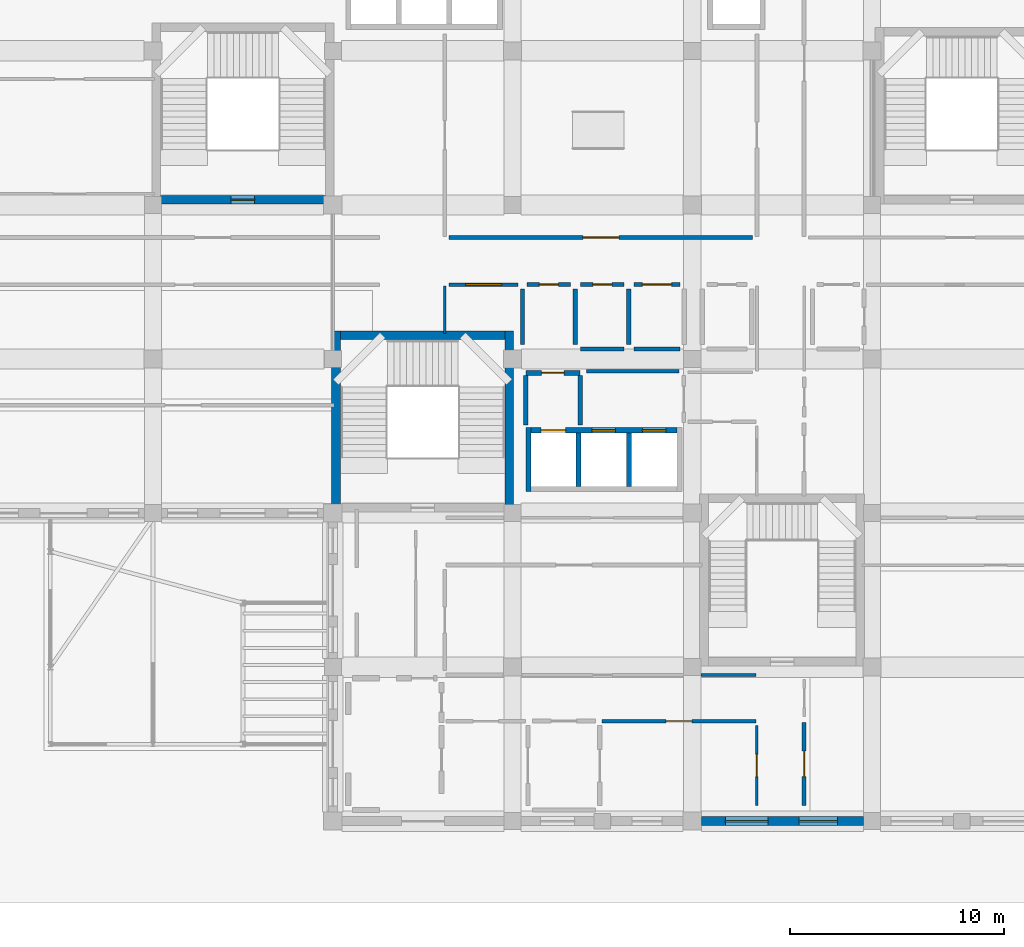
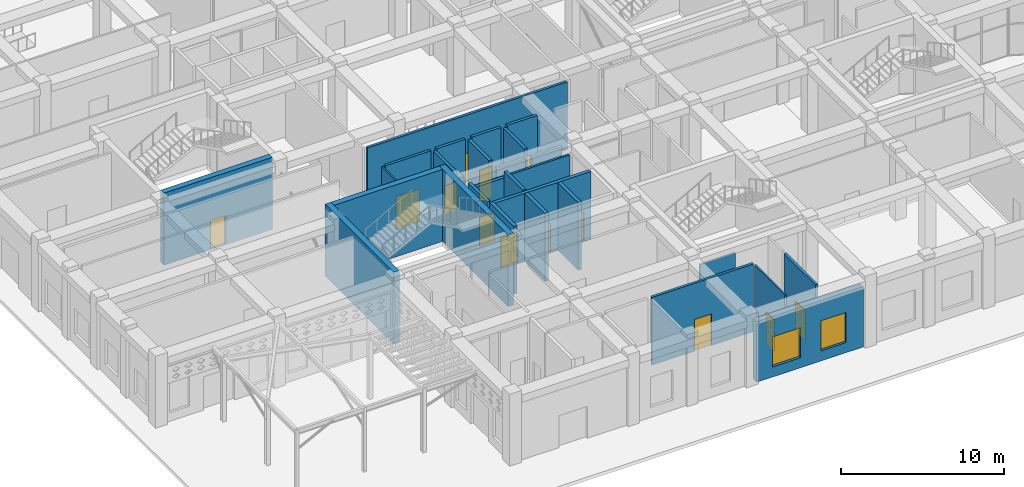
# One storey, part 61 of 84: 28 walls, 13 doors, 2 windows, 15 openings.
"""IFC4 building model written with IfcOpenShell, lengths in metres."""

from ifc_helpers import new_model, si_unit, derived_unit, direction, frame, frame_2d, origin, place, context, subcontext, project, spatial, rectangle, extrude, material, layer, layer_set, type_object, element, fill, save


model = new_model("IFC4")

# Units and contexts
model_context = context("Model", 3, precision=1e-05, world=origin(), true_north=direction((0.0, 1.0)))
body_context = subcontext(model_context, "Body", "Model", "MODEL_VIEW")
ifc_project = project(units=[si_unit("LENGTHUNIT", "METRE"), si_unit("AREAUNIT", "SQUARE_METRE"), si_unit("VOLUMEUNIT", "CUBIC_METRE"), si_unit("PLANEANGLEUNIT", "RADIAN"), si_unit("MASSUNIT", "GRAM", prefix="KILO"), derived_unit("THERMALTRANSMITTANCEUNIT", [(si_unit("POWERUNIT", "WATT"), 1), (si_unit("LENGTHUNIT", "METRE"), -2), (si_unit("THERMODYNAMICTEMPERATUREUNIT", "KELVIN"), -1)])], contexts=[model_context])

# Site, building, storey
site_placement = place(None, origin())
site = spatial("IfcSite", under=ifc_project, at=site_placement, CompositionType="ELEMENT")
building_placement = place(site_placement, origin())
building = spatial("IfcBuilding", under=site, at=building_placement, Name="Veybourne Emporium", CompositionType="ELEMENT")
storey_placement = place(building_placement, origin())
storey = spatial("IfcBuildingStorey", under=building, at=storey_placement, Name="L00", CompositionType="ELEMENT", Elevation=0.0)

# Wall, openings, windows
ifc_material_1 = material(Name="Honed Black Granite Plinth", Category="masonry")
ifc_layer_1 = layer(ifc_material_1, 0.419921875)
ifc_layer_set_1 = layer_set([ifc_layer_1], Name="Honed Black Granite Plinth")
wall_type_1 = type_object("IfcWallType", Name="ExtWall_EW-02", PredefinedType="SOLIDWALL", material=ifc_layer_set_1)
wall_1_placement = place(storey_placement, frame((41.60009765625, 0.0, 0.0), z_axis=(0.0, 0.0, 1.0), x_axis=(-1.0, 0.0, 0.0)))
wall_1 = element("IfcWall", 1, at=wall_1_placement, inside=storey, type_object=wall_type_1, Name="L00 Portland stone external wall 021", PredefinedType="SOLIDWALL", context=body_context, shape_type="SweptSolid", body=[
    extrude(rectangle(XDim=7.5751953125, YDim=0.419921875, at=frame_2d((3.78759765625, 0.0))), origin(), (0.0, 0.0, 1.0), 4.530029296875),
])
opening_1_placement = place(wall_1_placement, frame((1.220947265625, 0.0, 0.75)))
opening_1 = element("IfcOpeningElement", 2, at=opening_1_placement, cuts=wall_1, Name="Opening W-20", PredefinedType="OPENING", context=body_context, shape_type="SweptSolid", body=[
    extrude(rectangle(XDim=1.800048828125, YDim=2.260009765625, at=frame_2d((0.89990234375, 1.1298828125))), frame((0.0, 0.22998046875, 0.0), z_axis=(0.0, -1.0, 0.0), x_axis=(1.0, 0.0, 0.0)), (0.0, 0.0, 1.0), 0.4599609375),
])
opening_2_placement = place(wall_1_placement, frame((4.4541015625, 0.0, 0.75)))
opening_2 = element("IfcOpeningElement", 3, at=opening_2_placement, cuts=wall_1, Name="Opening W-21", PredefinedType="OPENING", context=body_context, shape_type="SweptSolid", body=[
    extrude(rectangle(XDim=2.0, YDim=2.260009765625, at=frame_2d((1.0, 1.1298828125))), frame((0.0, 0.22998046875, 0.0), z_axis=(0.0, -1.0, 0.0), x_axis=(1.0, 0.0, 0.0)), (0.0, 0.0, 1.0), 0.4599609375),
])
ifc_material_2 = material(Name="Low-E Triple Glazing", Category="glass")
window_type_1 = type_object("IfcWindowType", Name="Win_W-20", PartitioningType="DOUBLE_PANEL_VERTICAL", PredefinedType="WINDOW", material=ifc_material_2)
window_1_placement = place(opening_1_placement, origin())
window_1 = element("IfcWindow", 4, at=window_1_placement, inside=storey, type_object=window_type_1, Name="L00 tripartite bronze casement window W-20 (21.1)", OverallHeight=2.260009765625, OverallWidth=1.800048828125, PartitioningType="DOUBLE_PANEL_VERTICAL", PredefinedType="WINDOW", context=body_context, shape_type="SweptSolid", body=[
    extrude(rectangle(XDim=1.800048828125, YDim=2.260009765625, at=frame_2d((0.89990234375, 1.1298828125))), frame((0.0, 0.030029296875, 0.0), z_axis=(0.0, -1.0, 0.0), x_axis=(1.0, 0.0, 0.0)), (0.0, 0.0, 1.0), 0.06005859375),
])
fill(opening_1, window_1)
window_type_2 = type_object("IfcWindowType", Name="Win_W-21", PartitioningType="TRIPLE_PANEL_VERTICAL", PredefinedType="WINDOW", material=ifc_material_2)
window_2_placement = place(opening_2_placement, origin())
window_2 = element("IfcWindow", 5, at=window_2_placement, inside=storey, type_object=window_type_2, Name="L00 tripartite bronze casement window W-21 (21.2)", OverallHeight=2.260009765625, OverallWidth=2.0, PartitioningType="TRIPLE_PANEL_VERTICAL", PredefinedType="WINDOW", context=body_context, shape_type="SweptSolid", body=[
    extrude(rectangle(XDim=2.0, YDim=2.260009765625, at=frame_2d((1.0, 1.1298828125))), frame((0.0, 0.030029296875, 0.0), z_axis=(0.0, -1.0, 0.0), x_axis=(1.0, 0.0, 0.0)), (0.0, 0.0, 1.0), 0.06005859375),
])
fill(opening_2, window_2)

# Walls
ifc_material_3 = material(Name="Concrete C40/50", Category="concrete")
ifc_layer_2 = layer(ifc_material_3, 0.39990234375)
ifc_layer_set_2 = layer_set([ifc_layer_2], Name="Concrete C40/50")
wall_type_2 = type_object("IfcWallType", Name="IntWall_CW-01", PredefinedType="SHEAR", material=ifc_layer_set_2)
wall_2_placement = place(storey_placement, frame((17.14990234375, 22.699951171875, 0.0), z_axis=(0.0, 0.0, 1.0), x_axis=(1.0, 0.0, 0.0)))
element("IfcWall", 6, at=wall_2_placement, inside=storey, type_object=wall_type_2, Name="Core stair ST-01 north shear wall (L00)", PredefinedType="SHEAR", context=body_context, shape_type="SweptSolid", body=[
    extrude(rectangle(XDim=7.7001953125, YDim=0.39990234375, at=frame_2d((3.85009765625, 0.0))), origin(), (0.0, 0.0, 1.0), 5.39990234375),
])
for number, where, z_axis, x_axis, name in (
    (7, (16.949951171875, 22.89990234375, 0.0), (0.0, 0.0, 1.0), (0.0, -1.0, 0.0), "Core stair ST-01 west shear wall (L00)"),
    (8, (25.050048828125, 14.449951171875, 0.0), (0.0, 0.0, 1.0), (0.0, 1.0, 0.0), "Core stair ST-01 east shear wall (L00)"),
):
    element("IfcWall", number, at=place(storey_placement, frame(where, z_axis=z_axis, x_axis=x_axis)), inside=storey, type_object=wall_type_2, Name=name, PredefinedType="SHEAR", context=body_context, shape_type="SweptSolid", body=[
        extrude(rectangle(XDim=8.449951171875, YDim=0.39990234375, at=frame_2d((4.22509765625, 0.0))), origin(), (0.0, 0.0, 1.0), 5.39990234375),
    ])

# Wall, opening, door
wall_3_placement = place(storey_placement, frame((16.449951171875, 29.050048828125, 0.0), z_axis=(0.0, 0.0, 1.0), x_axis=(-1.0, 0.0, 0.0)))
wall_3 = element("IfcWall", 9, at=wall_3_placement, inside=storey, type_object=wall_type_2, Name="Core stair ST-02 south shear wall (L00)", PredefinedType="SHEAR", context=body_context, shape_type="SweptSolid", body=[
    extrude(rectangle(XDim=7.699951171875, YDim=0.39990234375, at=frame_2d((3.85009765625, 0.0))), origin(), (0.0, 0.0, 1.0), 5.39990234375),
])
opening_3_placement = place(wall_3_placement, frame((3.300048828125, 0.0, 0.0)))
opening_3 = element("IfcOpeningElement", 10, at=opening_3_placement, cuts=wall_3, Name="Opening FD-01", PredefinedType="OPENING", context=body_context, shape_type="SweptSolid", body=[
    extrude(rectangle(XDim=1.10009765625, YDim=2.199951171875, at=frame_2d((0.550048828125, 1.10009765625))), frame((0.0, 0.219970703125, 0.0), z_axis=(0.0, -1.0, 0.0), x_axis=(1.0, 0.0, 0.0)), (0.0, 0.0, 1.0), 0.43994140625),
])
ifc_material_4 = material(Name="Patinated Architectural Bronze", Category="bronze")
door_type_1 = type_object("IfcDoorType", Name="FireDoor_FD-01", OperationType="NOTDEFINED", PredefinedType="DOOR", material=ifc_material_4)
door_1_placement = place(opening_3_placement, origin())
door_1 = element("IfcDoor", 11, at=door_1_placement, inside=storey, type_object=door_type_1, Name="Stair ST-02 fire door (L00)", OperationType="SINGLE_SWING_RIGHT", OverallHeight=2.199951171875, OverallWidth=1.10009765625, PredefinedType="DOOR", context=body_context, shape_type="SweptSolid", body=[
    extrude(rectangle(XDim=1.10009765625, YDim=2.199951171875, at=frame_2d((0.550048828125, 1.10009765625))), frame((0.0, 0.02490234375, 0.0), z_axis=(0.0, -1.0, 0.0), x_axis=(1.0, 0.0, 0.0)), (0.0, 0.0, 1.0), 0.050048828125),
])
fill(opening_3, door_1)

# Wall, openings, doors
ifc_layer_3 = layer(ifc_material_3, 0.239990234375)
ifc_layer_set_3 = layer_set([ifc_layer_3], Name="Concrete C40/50")
wall_type_3 = type_object("IfcWallType", Name="IntWall_CW-04", PredefinedType="SHEAR", material=ifc_layer_set_3)
wall_4_placement = place(storey_placement, frame((32.8798828125, 18.27001953125, 0.0), z_axis=(0.0, 0.0, 1.0), x_axis=(-1.0, 0.0, 0.0)))
wall_4 = element("IfcWall", 12, at=wall_4_placement, inside=storey, type_object=wall_type_3, Name="Lift core C1 north shaft wall (L00)", PredefinedType="SHEAR", context=body_context, shape_type="SweptSolid", body=[
    extrude(rectangle(XDim=6.81982421875, YDim=0.239990234375, at=frame_2d((3.409912109375, 0.0))), origin(), (0.0, 0.0, 1.0), 5.080078125),
])
opening_4_placement = place(wall_4_placement, frame((5.195068359375, 0.0, 0.0)))
opening_4 = element("IfcOpeningElement", 13, at=opening_4_placement, cuts=wall_4, Name="Opening LD-02", PredefinedType="OPENING", context=body_context, shape_type="SweptSolid", body=[
    extrude(rectangle(XDim=1.14990234375, YDim=2.25, at=frame_2d((0.574951171875, 1.125))), frame((0.0, 0.14013671875, 0.0), z_axis=(0.0, -1.0, 0.0), x_axis=(1.0, 0.0, 0.0)), (0.0, 0.0, 1.0), 0.280029296875),
])
opening_5_placement = place(wall_4_placement, frame((2.8701171875, 0.0, 0.0)))
opening_5 = element("IfcOpeningElement", 14, at=opening_5_placement, cuts=wall_4, Name="Opening LD-01", PredefinedType="OPENING", context=body_context, shape_type="SweptSolid", body=[
    extrude(rectangle(XDim=1.10009765625, YDim=2.199951171875, at=frame_2d((0.550048828125, 1.10009765625))), frame((0.0, 0.14013671875, 0.0), z_axis=(0.0, -1.0, 0.0), x_axis=(1.0, 0.0, 0.0)), (0.0, 0.0, 1.0), 0.280029296875),
])
opening_6_placement = place(wall_4_placement, frame((0.510009765625, 0.0, 0.0)))
opening_6 = element("IfcOpeningElement", 15, at=opening_6_placement, cuts=wall_4, Name="Opening LD-01", PredefinedType="OPENING", context=body_context, shape_type="SweptSolid", body=[
    extrude(rectangle(XDim=1.10009765625, YDim=2.199951171875, at=frame_2d((0.550048828125, 1.10009765625))), frame((0.0, 0.14013671875, 0.0), z_axis=(0.0, -1.0, 0.0), x_axis=(1.0, 0.0, 0.0)), (0.0, 0.0, 1.0), 0.280029296875),
])
door_type_2 = type_object("IfcDoorType", Name="FireDoor_LD-01", OperationType="DOUBLE_DOOR_SLIDING", PredefinedType="DOOR", material=ifc_material_4)
door_2_placement = place(opening_5_placement, origin())
door_2 = element("IfcDoor", 16, at=door_2_placement, inside=storey, type_object=door_type_2, Name="Lift PL-01 sliding landing door (L00)", OperationType="DOUBLE_DOOR_SLIDING", OverallHeight=2.199951171875, OverallWidth=1.10009765625, PredefinedType="DOOR", context=body_context, shape_type="SweptSolid", body=[
    extrude(rectangle(XDim=1.10009765625, YDim=2.199951171875, at=frame_2d((0.550048828125, 1.10009765625))), frame((0.0, 0.02490234375, 0.0), z_axis=(0.0, -1.0, 0.0), x_axis=(1.0, 0.0, 0.0)), (0.0, 0.0, 1.0), 0.050048828125),
])
fill(opening_5, door_2)
door_3_placement = place(opening_6_placement, origin())
door_3 = element("IfcDoor", 17, at=door_3_placement, inside=storey, type_object=door_type_2, Name="Lift PL-02 sliding landing door (L00)", OperationType="DOUBLE_DOOR_SLIDING", OverallHeight=2.199951171875, OverallWidth=1.10009765625, PredefinedType="DOOR", context=body_context, shape_type="SweptSolid", body=[
    extrude(rectangle(XDim=1.10009765625, YDim=2.199951171875, at=frame_2d((0.550048828125, 1.10009765625))), frame((0.0, 0.02490234375, 0.0), z_axis=(0.0, -1.0, 0.0), x_axis=(1.0, 0.0, 0.0)), (0.0, 0.0, 1.0), 0.050048828125),
])
fill(opening_6, door_3)
door_type_3 = type_object("IfcDoorType", Name="FireDoor_LD-02", OperationType="SLIDING_TO_LEFT", PredefinedType="DOOR", material=ifc_material_4)
door_4_placement = place(opening_4_placement, origin())
door_4 = element("IfcDoor", 18, at=door_4_placement, inside=storey, type_object=door_type_3, Name="Lift FFL-01 sliding landing door (L00)", OperationType="SLIDING_TO_LEFT", OverallHeight=2.25, OverallWidth=1.14990234375, PredefinedType="DOOR", context=body_context, shape_type="SweptSolid", body=[
    extrude(rectangle(XDim=1.14990234375, YDim=2.25, at=frame_2d((0.574951171875, 1.125))), frame((0.0, 0.02490234375, 0.0), z_axis=(0.0, -1.0, 0.0), x_axis=(1.0, 0.0, 0.0)), (0.0, 0.0, 1.0), 0.050048828125),
])
fill(opening_4, door_4)

# Walls
wall_5_placement = place(storey_placement, frame((25.93994140625, 18.389892578125, 0.0), z_axis=(0.0, 0.0, 1.0), x_axis=(0.0, -1.0, 0.0)))
element("IfcWall", 19, at=wall_5_placement, inside=storey, type_object=wall_type_3, Name="Lift core C1 west shaft wall (L00)", PredefinedType="SHEAR", context=body_context, shape_type="SweptSolid", body=[
    extrude(rectangle(XDim=2.97998046875, YDim=0.239990234375, at=frame_2d((1.489990234375, 0.0))), origin(), (0.0, 0.0, 1.0), 5.080078125),
])
for number, where, z_axis, x_axis, name in (
    (20, (28.280029296875, 15.64990234375, 0.0), (0.0, 0.0, 1.0), (0.0, 1.0, 0.0), "Lift core C1 divider wall 1 (L00)"),
    (21, (30.639892578125, 15.64990234375, 0.0), (0.0, 0.0, 1.0), (0.0, 1.0, 0.0), "Lift core C1 divider wall 2 (L00)"),
):
    element("IfcWall", number, at=place(storey_placement, frame(where, z_axis=z_axis, x_axis=x_axis)), inside=storey, type_object=wall_type_3, Name=name, PredefinedType="SHEAR", context=body_context, shape_type="SweptSolid", body=[
        extrude(rectangle(XDim=2.5, YDim=0.239990234375, at=frame_2d((1.25, 0.0))), origin(), (0.0, 0.0, 1.0), 5.080078125),
    ])

# Wall, opening, door
ifc_material_5 = material(Name="Concrete C32/40", Category="concrete")
ifc_layer_4 = layer(ifc_material_5, 0.219970703125)
ifc_layer_set_4 = layer_set([ifc_layer_4], Name="Concrete C32/40")
wall_type_4 = type_object("IfcWallType", Name="IntWall_FW-02", PredefinedType="SOLIDWALL", material=ifc_layer_set_4)
wall_6_placement = place(storey_placement, frame((25.820068359375, 20.949951171875, 0.0), z_axis=(0.0, 0.0, 1.0), x_axis=(1.0, 0.0, 0.0)))
wall_6 = element("IfcWall", 22, at=wall_6_placement, inside=storey, type_object=wall_type_4, Name="Firefighting lobby C1 fire wall N (L00)", PredefinedType="SOLIDWALL", context=body_context, shape_type="SweptSolid", body=[
    extrude(rectangle(XDim=2.5400390625, YDim=0.219970703125, at=frame_2d((1.27001953125, 0.0))), origin(), (0.0, 0.0, 1.0), 4.580078125),
])
opening_7_placement = place(wall_6_placement, frame((0.7451171875, 0.0, 0.0)))
opening_7 = element("IfcOpeningElement", 23, at=opening_7_placement, cuts=wall_6, Name="Opening FD-02", PredefinedType="OPENING", context=body_context, shape_type="SweptSolid", body=[
    extrude(rectangle(XDim=1.050048828125, YDim=2.14990234375, at=frame_2d((0.52490234375, 1.074951171875))), frame((0.0, 0.1298828125, 0.0), z_axis=(0.0, -1.0, 0.0), x_axis=(1.0, 0.0, 0.0)), (0.0, 0.0, 1.0), 0.260009765625),
])
door_type_4 = type_object("IfcDoorType", Name="FireDoor_FD-02", OperationType="NOTDEFINED", PredefinedType="DOOR", material=ifc_material_4)
door_5_placement = place(opening_7_placement, origin())
door_5 = element("IfcDoor", 24, at=door_5_placement, inside=storey, type_object=door_type_4, Name="Firefighting lobby C1 FD60S door N (L00)", OperationType="SINGLE_SWING_RIGHT", OverallHeight=2.14990234375, OverallWidth=1.050048828125, PredefinedType="DOOR", context=body_context, shape_type="SweptSolid", body=[
    extrude(rectangle(XDim=1.050048828125, YDim=2.14990234375, at=frame_2d((0.52490234375, 1.074951171875))), frame((0.0, 0.02490234375, 0.0), z_axis=(0.0, -1.0, 0.0), x_axis=(1.0, 0.0, 0.0)), (0.0, 0.0, 1.0), 0.050048828125),
])
fill(opening_7, door_5)

# Walls
for number, where, z_axis, x_axis, name in (
    (25, (25.820068359375, 18.510009765625, 0.0), (0.0, 0.0, 1.0), (0.0, 1.0, 0.0), "Firefighting lobby C1 fire wall W (L00)"),
    (26, (28.360107421875, 18.510009765625, 0.0), (0.0, 0.0, 1.0), (0.0, 1.0, 0.0), "Firefighting lobby C1 fire wall E (L00)"),
):
    element("IfcWall", number, at=place(storey_placement, frame(where, z_axis=z_axis, x_axis=x_axis)), inside=storey, type_object=wall_type_4, Name=name, PredefinedType="SOLIDWALL", context=body_context, shape_type="SweptSolid", body=[
        extrude(rectangle(XDim=2.320068359375, YDim=0.219970703125, at=frame_2d((1.16015625, 0.0))), origin(), (0.0, 0.0, 1.0), 5.080078125),
    ])

# Wall, opening, door
ifc_material_6 = material(Name="Gypsum Acoustic Board", Category="gypsum")
ifc_layer_5 = layer(ifc_material_6, 0.179931640625)
ifc_layer_set_5 = layer_set([ifc_layer_5], Name="Gypsum Acoustic Board")
wall_type_5 = type_object("IfcWallType", Name="IntWall_IW-01", PredefinedType="PARTITIONING", material=ifc_layer_set_5)
wall_7_placement = place(storey_placement, frame((22.239990234375, 27.280029296875, 0.0), z_axis=(0.0, 0.0, 1.0), x_axis=(1.0, 0.0, 0.0)))
wall_7 = element("IfcWall", 27, at=wall_7_placement, inside=storey, type_object=wall_type_5, Name="L00 interior partition IW-01 #050", PredefinedType="PARTITIONING", context=body_context, shape_type="SweptSolid", body=[
    extrude(rectangle(XDim=14.169921875, YDim=0.179931640625, at=frame_2d((7.0849609375, 0.0))), origin(), (0.0, 0.0, 1.0), 5.080078125),
])
opening_8_placement = place(wall_7_placement, frame((6.2451171875, 0.0, 0.0)))
opening_8 = element("IfcOpeningElement", 28, at=opening_8_placement, cuts=wall_7, Name="Opening D-18", PredefinedType="OPENING", context=body_context, shape_type="SweptSolid", body=[
    extrude(rectangle(XDim=1.679931640625, YDim=2.2099609375, at=frame_2d((0.83984375, 1.10498046875))), frame((0.0, 0.10986328125, 0.0), z_axis=(0.0, -1.0, 0.0), x_axis=(1.0, 0.0, 0.0)), (0.0, 0.0, 1.0), 0.219970703125),
])
ifc_material_7 = material(Name="European Oak Veneer and Bronze", Category="wood")
door_type_5 = type_object("IfcDoorType", Name="IntDoor_D-18", OperationType="DOUBLE_DOOR_SINGLE_SWING", PredefinedType="DOOR", material=ifc_material_7)
door_6_placement = place(opening_8_placement, origin())
door_6 = element("IfcDoor", 29, at=door_6_placement, inside=storey, type_object=door_type_5, Name="L00 interior door D-18 (PART-L00-050)", OperationType="DOUBLE_DOOR_SINGLE_SWING", OverallHeight=2.2099609375, OverallWidth=1.679931640625, PredefinedType="DOOR", context=body_context, shape_type="SweptSolid", body=[
    extrude(rectangle(XDim=1.679931640625, YDim=2.2099609375, at=frame_2d((0.83984375, 1.10498046875))), frame((0.0, 0.02490234375, 0.0), z_axis=(0.0, -1.0, 0.0), x_axis=(1.0, 0.0, 0.0)), (0.0, 0.0, 1.0), 0.050048828125),
])
fill(opening_8, door_6)

wall_8_placement = place(storey_placement, frame((29.385009765625, 4.669921875, 0.0), z_axis=(0.0, 0.0, 1.0), x_axis=(1.0, 0.0, 0.0)))
wall_8 = element("IfcWall", 30, at=wall_8_placement, inside=storey, type_object=wall_type_5, Name="L00 interior partition IW-01 #095", PredefinedType="PARTITIONING", context=body_context, shape_type="SweptSolid", body=[
    extrude(rectangle(XDim=7.18505859375, YDim=0.179931640625, at=frame_2d((3.592529296875, 0.0))), origin(), (0.0, 0.0, 1.0), 5.080078125),
])
opening_9_placement = place(wall_8_placement, frame((2.992431640625, 0.0, 0.0)))
opening_9 = element("IfcOpeningElement", 31, at=opening_9_placement, cuts=wall_8, Name="Opening D-27", PredefinedType="OPENING", context=body_context, shape_type="SweptSolid", body=[
    extrude(rectangle(XDim=1.199951171875, YDim=2.3701171875, at=frame_2d((0.60009765625, 1.18505859375))), frame((0.0, 0.10986328125, 0.0), z_axis=(0.0, -1.0, 0.0), x_axis=(1.0, 0.0, 0.0)), (0.0, 0.0, 1.0), 0.219970703125),
])
door_type_6 = type_object("IfcDoorType", Name="IntDoor_D-27", OperationType="NOTDEFINED", PredefinedType="DOOR", material=ifc_material_7)
door_7_placement = place(opening_9_placement, frame((1.199951171875, 0.0, 0.0), z_axis=(0.0, 0.0, 1.0), x_axis=(-1.0, 0.0, 0.0)))
door_7 = element("IfcDoor", 32, at=door_7_placement, inside=storey, type_object=door_type_6, Name="L00 interior door D-27 (PART-L00-095)", OperationType="SINGLE_SWING_LEFT", OverallHeight=2.3701171875, OverallWidth=1.199951171875, PredefinedType="DOOR", context=body_context, shape_type="SweptSolid", body=[
    extrude(rectangle(XDim=1.199951171875, YDim=2.3701171875, at=frame_2d((0.60009765625, 1.18505859375))), frame((0.0, 0.02490234375, 0.0), z_axis=(0.0, -1.0, 0.0), x_axis=(1.0, 0.0, 0.0)), (0.0, 0.0, 1.0), 0.050048828125),
])
fill(opening_9, door_7)

wall_9_placement = place(storey_placement, frame((38.830078125, 0.72998046875, 0.0), z_axis=(0.0, 0.0, 1.0), x_axis=(0.0, 1.0, 0.0)))
wall_9 = element("IfcWall", 33, at=wall_9_placement, inside=storey, type_object=wall_type_5, Name="L00 interior partition IW-01 #125", PredefinedType="PARTITIONING", context=body_context, shape_type="SweptSolid", body=[
    extrude(rectangle(XDim=3.89013671875, YDim=0.179931640625, at=frame_2d((1.945068359375, 0.0))), origin(), (0.0, 0.0, 1.0), 5.080078125),
])
opening_10_placement = place(wall_9_placement, frame((1.344970703125, 0.0, 0.0)))
opening_10 = element("IfcOpeningElement", 34, at=opening_10_placement, cuts=wall_9, Name="Opening D-21", PredefinedType="OPENING", context=body_context, shape_type="SweptSolid", body=[
    extrude(rectangle(XDim=1.199951171875, YDim=2.2900390625, at=frame_2d((0.60009765625, 1.14501953125))), frame((0.0, 0.10986328125, 0.0), z_axis=(0.0, -1.0, 0.0), x_axis=(1.0, 0.0, 0.0)), (0.0, 0.0, 1.0), 0.219970703125),
])
door_type_7 = type_object("IfcDoorType", Name="IntDoor_D-21", OperationType="NOTDEFINED", PredefinedType="DOOR", material=ifc_material_7)
door_8_placement = place(opening_10_placement, frame((1.199951171875, 0.0, 0.0), z_axis=(0.0, 0.0, 1.0), x_axis=(-1.0, 0.0, 0.0)))
door_8 = element("IfcDoor", 35, at=door_8_placement, inside=storey, type_object=door_type_7, Name="L00 interior door D-21 (PART-L00-125)", OperationType="SINGLE_SWING_LEFT", OverallHeight=2.2900390625, OverallWidth=1.199951171875, PredefinedType="DOOR", context=body_context, shape_type="SweptSolid", body=[
    extrude(rectangle(XDim=1.199951171875, YDim=2.2900390625, at=frame_2d((0.60009765625, 1.14501953125))), frame((0.0, 0.02490234375, 0.0), z_axis=(0.0, -1.0, 0.0), x_axis=(1.0, 0.0, 0.0)), (0.0, 0.0, 1.0), 0.050048828125),
])
fill(opening_10, door_8)

wall_10_placement = place(storey_placement, frame((22.239990234375, 25.070068359375, 0.0), z_axis=(0.0, 0.0, 1.0), x_axis=(1.0, 0.0, 0.0)))
wall_10 = element("IfcWall", 36, at=wall_10_placement, inside=storey, type_object=wall_type_5, Name="L00 interior partition IW-01 #140", PredefinedType="PARTITIONING", context=body_context, shape_type="SweptSolid", body=[
    extrude(rectangle(XDim=3.219970703125, YDim=0.179931640625, at=frame_2d((1.60986328125, 0.0))), origin(), (0.0, 0.0, 1.0), 5.080078125),
])
opening_11_placement = place(wall_10_placement, frame((0.77001953125, 0.0, 0.0)))
opening_11 = element("IfcOpeningElement", 37, at=opening_11_placement, cuts=wall_10, Name="Opening D-36", PredefinedType="OPENING", context=body_context, shape_type="SweptSolid", body=[
    extrude(rectangle(XDim=1.679931640625, YDim=2.449951171875, at=frame_2d((0.83984375, 1.22509765625))), frame((0.0, 0.10986328125, 0.0), z_axis=(0.0, -1.0, 0.0), x_axis=(1.0, 0.0, 0.0)), (0.0, 0.0, 1.0), 0.219970703125),
])
door_type_8 = type_object("IfcDoorType", Name="IntDoor_D-36", OperationType="DOUBLE_DOOR_SINGLE_SWING", PredefinedType="DOOR", material=ifc_material_7)
door_9_placement = place(opening_11_placement, frame((1.679931640625, 0.0, 0.0), z_axis=(0.0, 0.0, 1.0), x_axis=(-1.0, 0.0, 0.0)))
door_9 = element("IfcDoor", 38, at=door_9_placement, inside=storey, type_object=door_type_8, Name="L00 interior door D-36 (PART-L00-140)", OperationType="DOUBLE_DOOR_SINGLE_SWING", OverallHeight=2.449951171875, OverallWidth=1.679931640625, PredefinedType="DOOR", context=body_context, shape_type="SweptSolid", body=[
    extrude(rectangle(XDim=1.679931640625, YDim=2.449951171875, at=frame_2d((0.83984375, 1.22509765625))), frame((0.0, 0.02490234375, 0.0), z_axis=(0.0, -1.0, 0.0), x_axis=(1.0, 0.0, 0.0)), (0.0, 0.0, 1.0), 0.050048828125),
])
fill(opening_11, door_9)

# Walls
ifc_layer_6 = layer(ifc_material_6, 0.14990234375)
ifc_layer_set_6 = layer_set([ifc_layer_6], Name="Gypsum Acoustic Board")
wall_type_6 = type_object("IfcWallType", Name="IntWall_IW-02", PredefinedType="PARTITIONING", material=ifc_layer_set_6)
wall_11_placement = place(storey_placement, frame((28.64990234375, 21.030029296875, 0.0), z_axis=(0.0, 0.0, 1.0), x_axis=(1.0, 0.0, 0.0)))
element("IfcWall", 39, at=wall_11_placement, inside=storey, type_object=wall_type_6, Name="L00 interior partition IW-02 #120", PredefinedType="PARTITIONING", context=body_context, shape_type="SweptSolid", body=[
    extrude(rectangle(XDim=4.340087890625, YDim=0.14990234375, at=frame_2d((2.169921875, 0.0))), origin(), (0.0, 0.0, 1.0), 4.580078125),
])
ifc_layer_7 = layer(ifc_material_6, 0.1201171875)
ifc_layer_set_7 = layer_set([ifc_layer_7], Name="Gypsum Acoustic Board")
wall_type_7 = type_object("IfcWallType", Name="IntWall_IW-03", PredefinedType="PARTITIONING", material=ifc_layer_set_7)
wall_12_placement = place(storey_placement, frame((34.02001953125, 6.830078125, 0.0), z_axis=(0.0, 0.0, 1.0), x_axis=(1.0, 0.0, 0.0)))
element("IfcWall", 40, at=wall_12_placement, inside=storey, type_object=wall_type_7, Name="L00 interior partition IW-03 #040", PredefinedType="PARTITIONING", context=body_context, shape_type="SweptSolid", body=[
    extrude(rectangle(XDim=2.550048828125, YDim=0.1201171875, at=frame_2d((1.27490234375, 0.0))), origin(), (0.0, 0.0, 1.0), 4.580078125),
])

# Wall, opening, door
wall_13_placement = place(storey_placement, frame((36.6201171875, 0.72998046875, 0.0), z_axis=(0.0, 0.0, 1.0), x_axis=(0.0, 1.0, 0.0)))
wall_13 = element("IfcWall", 41, at=wall_13_placement, inside=storey, type_object=wall_type_7, Name="L00 interior partition IW-03 #130", PredefinedType="PARTITIONING", context=body_context, shape_type="SweptSolid", body=[
    extrude(rectangle(XDim=3.72998046875, YDim=0.1201171875, at=frame_2d((1.864990234375, 0.0))), origin(), (0.0, 0.0, 1.0), 5.080078125),
])
opening_12_placement = place(wall_13_placement, frame((1.344970703125, 0.0, 0.0)))
opening_12 = element("IfcOpeningElement", 42, at=opening_12_placement, cuts=wall_13, Name="Opening D-26", PredefinedType="OPENING", context=body_context, shape_type="SweptSolid", body=[
    extrude(rectangle(XDim=1.0400390625, YDim=2.3701171875, at=frame_2d((0.52001953125, 1.18505859375))), frame((0.0, 0.080078125, 0.0), z_axis=(0.0, -1.0, 0.0), x_axis=(1.0, 0.0, 0.0)), (0.0, 0.0, 1.0), 0.16015625),
])
door_type_9 = type_object("IfcDoorType", Name="IntDoor_D-26", OperationType="NOTDEFINED", PredefinedType="DOOR", material=ifc_material_7)
door_10_placement = place(opening_12_placement, origin())
door_10 = element("IfcDoor", 43, at=door_10_placement, inside=storey, type_object=door_type_9, Name="L00 interior door D-26 (PART-L00-130)", OperationType="SINGLE_SWING_LEFT", OverallHeight=2.3701171875, OverallWidth=1.0400390625, PredefinedType="DOOR", context=body_context, shape_type="SweptSolid", body=[
    extrude(rectangle(XDim=1.0400390625, YDim=2.3701171875, at=frame_2d((0.52001953125, 1.18505859375))), frame((0.0, 0.02490234375, 0.0), z_axis=(0.0, -1.0, 0.0), x_axis=(1.0, 0.0, 0.0)), (0.0, 0.0, 1.0), 0.050048828125),
])
fill(opening_12, door_10)

# Wall
wall_14_placement = place(storey_placement, frame((22.030029296875, 22.7900390625, 0.0), z_axis=(0.0, 0.0, 1.0), x_axis=(0.0, 1.0, 0.0)))
element("IfcWall", 44, at=wall_14_placement, inside=storey, type_object=wall_type_7, Name="L00 interior partition IW-03 #160", PredefinedType="PARTITIONING", context=body_context, shape_type="SweptSolid", body=[
    extrude(rectangle(XDim=2.22998046875, YDim=0.1201171875, at=frame_2d((1.114990234375, 0.0))), origin(), (0.0, 0.0, 1.0), 5.080078125),
])

# Wall, opening, door
ifc_layer_8 = layer(ifc_material_6, 0.199951171875)
ifc_layer_set_8 = layer_set([ifc_layer_8], Name="Gypsum Acoustic Board")
wall_type_8 = type_object("IfcWallType", Name="IntWall_IW-04", PredefinedType="PLUMBINGWALL", material=ifc_layer_set_8)
wall_15_placement = place(storey_placement, frame((30.8798828125, 25.080078125, 0.0), z_axis=(0.0, 0.0, 1.0), x_axis=(1.0, 0.0, 0.0)))
wall_15 = element("IfcWall", 45, at=wall_15_placement, inside=storey, type_object=wall_type_8, Name="L00 interior partition IW-04 #162", PredefinedType="PLUMBINGWALL", context=body_context, shape_type="SweptSolid", body=[
    extrude(rectangle(XDim=2.14013671875, YDim=0.199951171875, at=frame_2d((1.070068359375, 0.0))), origin(), (0.0, 0.0, 1.0), 5.080078125),
])
opening_13_placement = place(wall_15_placement, frame((0.389892578125, 0.0, 0.0)))
opening_13 = element("IfcOpeningElement", 46, at=opening_13_placement, cuts=wall_15, Name="Opening D-22", PredefinedType="OPENING", context=body_context, shape_type="SweptSolid", body=[
    extrude(rectangle(XDim=1.360107421875, YDim=2.2900390625, at=frame_2d((0.68017578125, 1.14501953125))), frame((0.0, 0.1201171875, 0.0), z_axis=(0.0, -1.0, 0.0), x_axis=(1.0, 0.0, 0.0)), (0.0, 0.0, 1.0), 0.239990234375),
])
door_type_10 = type_object("IfcDoorType", Name="IntDoor_D-22", OperationType="NOTDEFINED", PredefinedType="DOOR", material=ifc_material_7)
door_11_placement = place(opening_13_placement, frame((1.360107421875, 0.0, 0.0), z_axis=(0.0, 0.0, 1.0), x_axis=(-1.0, 0.0, 0.0)))
door_11 = element("IfcDoor", 47, at=door_11_placement, inside=storey, type_object=door_type_10, Name="L00 interior door D-22 (PART-L00-162)", OperationType="SINGLE_SWING_RIGHT", OverallHeight=2.2900390625, OverallWidth=1.360107421875, PredefinedType="DOOR", context=body_context, shape_type="SweptSolid", body=[
    extrude(rectangle(XDim=1.360107421875, YDim=2.2900390625, at=frame_2d((0.68017578125, 1.14501953125))), frame((0.0, 0.02490234375, 0.0), z_axis=(0.0, -1.0, 0.0), x_axis=(1.0, 0.0, 0.0)), (0.0, 0.0, 1.0), 0.050048828125),
])
fill(opening_13, door_11)

wall_16_placement = place(storey_placement, frame((25.8798828125, 25.080078125, 0.0), z_axis=(0.0, 0.0, 1.0), x_axis=(1.0, 0.0, 0.0)))
wall_16 = element("IfcWall", 48, at=wall_16_placement, inside=storey, type_object=wall_type_8, Name="L00 interior partition IW-04 #164", PredefinedType="PLUMBINGWALL", context=body_context, shape_type="SweptSolid", body=[
    extrude(rectangle(XDim=2.0400390625, YDim=0.199951171875, at=frame_2d((1.02001953125, 0.0))), origin(), (0.0, 0.0, 1.0), 5.080078125),
])
opening_14_placement = place(wall_16_placement, frame((0.580078125, 0.0, 0.0)))
opening_14 = element("IfcOpeningElement", 49, at=opening_14_placement, cuts=wall_16, Name="Opening D-01", PredefinedType="OPENING", context=body_context, shape_type="SweptSolid", body=[
    extrude(rectangle(XDim=0.8798828125, YDim=2.050048828125, at=frame_2d((0.43994140625, 1.02490234375))), frame((0.0, 0.1201171875, 0.0), z_axis=(0.0, -1.0, 0.0), x_axis=(1.0, 0.0, 0.0)), (0.0, 0.0, 1.0), 0.239990234375),
])
door_type_11 = type_object("IfcDoorType", Name="IntDoor_D-01", OperationType="NOTDEFINED", PredefinedType="DOOR", material=ifc_material_7)
door_12_placement = place(opening_14_placement, frame((0.8798828125, 0.0, 0.0), z_axis=(0.0, 0.0, 1.0), x_axis=(-1.0, 0.0, 0.0)))
door_12 = element("IfcDoor", 50, at=door_12_placement, inside=storey, type_object=door_type_11, Name="L00 interior door D-01 (PART-L00-164)", OperationType="SINGLE_SWING_RIGHT", OverallHeight=2.050048828125, OverallWidth=0.8798828125, PredefinedType="DOOR", context=body_context, shape_type="SweptSolid", body=[
    extrude(rectangle(XDim=0.8798828125, YDim=2.050048828125, at=frame_2d((0.43994140625, 1.02490234375))), frame((0.0, 0.02490234375, 0.0), z_axis=(0.0, -1.0, 0.0), x_axis=(1.0, 0.0, 0.0)), (0.0, 0.0, 1.0), 0.050048828125),
])
fill(opening_14, door_12)

wall_17_placement = place(storey_placement, frame((28.3798828125, 25.080078125, 0.0), z_axis=(0.0, 0.0, 1.0), x_axis=(1.0, 0.0, 0.0)))
wall_17 = element("IfcWall", 51, at=wall_17_placement, inside=storey, type_object=wall_type_8, Name="L00 interior partition IW-04 #165", PredefinedType="PLUMBINGWALL", context=body_context, shape_type="SweptSolid", body=[
    extrude(rectangle(XDim=2.0400390625, YDim=0.199951171875, at=frame_2d((1.02001953125, 0.0))), origin(), (0.0, 0.0, 1.0), 5.080078125),
])
opening_15_placement = place(wall_17_placement, frame((0.580078125, 0.0, 0.0)))
opening_15 = element("IfcOpeningElement", 52, at=opening_15_placement, cuts=wall_17, Name="Opening D-25", PredefinedType="OPENING", context=body_context, shape_type="SweptSolid", body=[
    extrude(rectangle(XDim=0.8798828125, YDim=2.3701171875, at=frame_2d((0.43994140625, 1.18505859375))), frame((0.0, 0.1201171875, 0.0), z_axis=(0.0, -1.0, 0.0), x_axis=(1.0, 0.0, 0.0)), (0.0, 0.0, 1.0), 0.239990234375),
])
door_type_12 = type_object("IfcDoorType", Name="IntDoor_D-25", OperationType="NOTDEFINED", PredefinedType="DOOR", material=ifc_material_7)
door_13_placement = place(opening_15_placement, frame((0.8798828125, 0.0, 0.0), z_axis=(0.0, 0.0, 1.0), x_axis=(-1.0, 0.0, 0.0)))
door_13 = element("IfcDoor", 53, at=door_13_placement, inside=storey, type_object=door_type_12, Name="L00 interior door D-25 (PART-L00-165)", OperationType="SINGLE_SWING_LEFT", OverallHeight=2.3701171875, OverallWidth=0.8798828125, PredefinedType="DOOR", context=body_context, shape_type="SweptSolid", body=[
    extrude(rectangle(XDim=0.8798828125, YDim=2.3701171875, at=frame_2d((0.43994140625, 1.18505859375))), frame((0.0, 0.02490234375, 0.0), z_axis=(0.0, -1.0, 0.0), x_axis=(1.0, 0.0, 0.0)), (0.0, 0.0, 1.0), 0.050048828125),
])
fill(opening_15, door_13)

# Walls
for number, where, z_axis, x_axis, name in (
    (54, (28.1298828125, 22.280029296875, 0.0), (0.0, 0.0, 1.0), (0.0, 1.0, 0.0), "L00 interior partition IW-04 #220"),
    (55, (25.669921875, 22.280029296875, 0.0), (0.0, 0.0, 1.0), (0.0, 1.0, 0.0), "L00 interior partition IW-04 #221"),
    (56, (30.6298828125, 22.280029296875, 0.0), (0.0, 0.0, 1.0), (0.0, 1.0, 0.0), "L00 interior partition IW-04 #222"),
):
    element("IfcWall", number, at=place(storey_placement, frame(where, z_axis=z_axis, x_axis=x_axis)), inside=storey, type_object=wall_type_8, Name=name, PredefinedType="PLUMBINGWALL", context=body_context, shape_type="SweptSolid", body=[
        extrude(rectangle(XDim=2.590087890625, YDim=0.199951171875, at=frame_2d((1.294921875, 0.0))), origin(), (0.0, 0.0, 1.0), 5.080078125),
    ])
wall_18_placement = place(storey_placement, frame((30.8798828125, 22.070068359375, 0.0), z_axis=(0.0, 0.0, 1.0), x_axis=(1.0, 0.0, 0.0)))
element("IfcWall", 57, at=wall_18_placement, inside=storey, type_object=wall_type_8, Name="L00 interior partition IW-04 #226", PredefinedType="PLUMBINGWALL", context=body_context, shape_type="SweptSolid", body=[
    extrude(rectangle(XDim=2.14013671875, YDim=0.199951171875, at=frame_2d((1.070068359375, 0.0))), origin(), (0.0, 0.0, 1.0), 4.580078125),
])
wall_19_placement = place(storey_placement, frame((28.3798828125, 22.070068359375, 0.0), z_axis=(0.0, 0.0, 1.0), x_axis=(1.0, 0.0, 0.0)))
element("IfcWall", 58, at=wall_19_placement, inside=storey, type_object=wall_type_8, Name="L00 interior partition IW-04 #227", PredefinedType="PLUMBINGWALL", context=body_context, shape_type="SweptSolid", body=[
    extrude(rectangle(XDim=2.0400390625, YDim=0.199951171875, at=frame_2d((1.02001953125, 0.0))), origin(), (0.0, 0.0, 1.0), 4.580078125),
])

save(model, "model.ifc")
